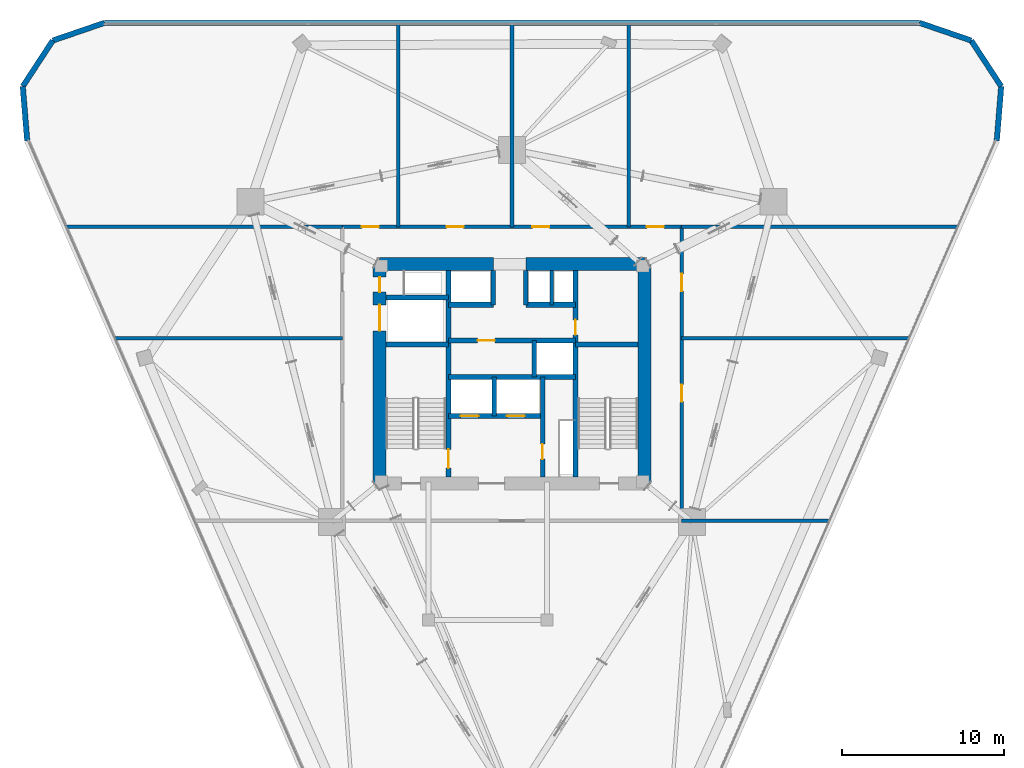
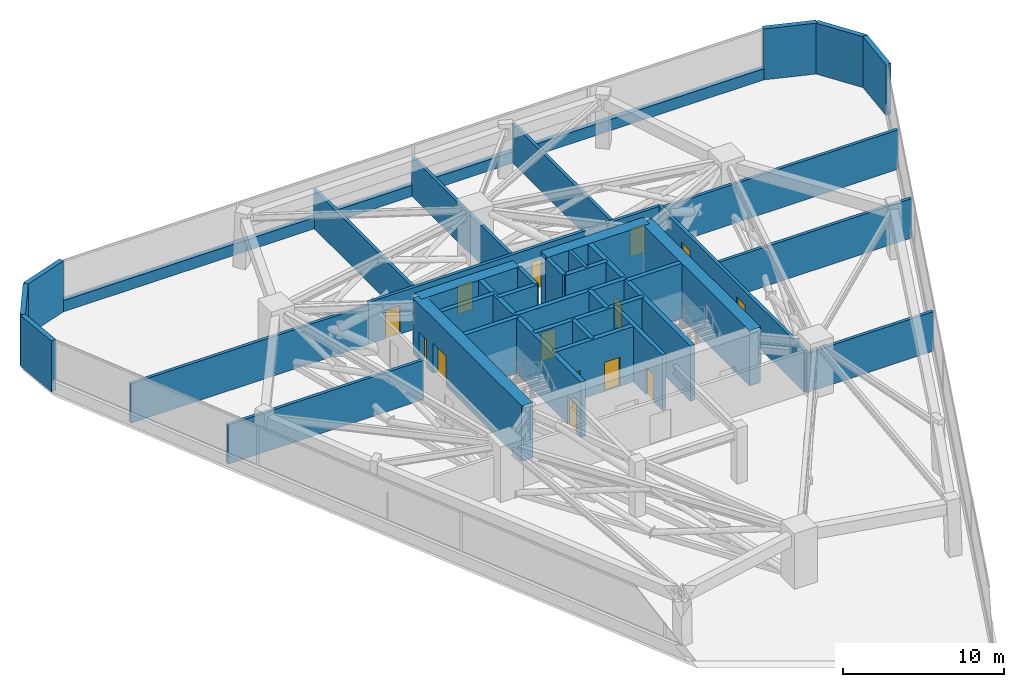
# One storey, part 13 of 15: 37 walls, 14 doors, 14 openings.
"""IFC4 building model written with IfcOpenShell, lengths in metres."""

import ifcopenshell
import ifcopenshell.guid

model = None  # the IFC model being written
_history = None  # IfcOwnerHistory: only IFC2X3 demands one
_inside = {}  # id of a spatial element -> (the spatial element, [elements in it])
_under = {}  # id of a project, library or spatial element -> (it, [spatial elements below it])
_declared = {}  # id of a project -> (the project, [libraries it declares])
_typed = {}  # id of a type object -> (the type object, [elements of that type])
_made_of = {}  # id of a material, layer set ... -> (it, [elements and type objects made of it])


def new_model(schema):
    """Start an empty IFC model of exactly this schema.

    Asked for "IFC4X3", IfcOpenShell would pick the latest addendum, in which some entities
    have other attributes; the version numbers below select the first issue.
    IFC2X3 requires an IfcOwnerHistory on every rooted entity: one is made here for all.
    """
    global model, _history
    if schema == "IFC4X3":
        model = ifcopenshell.file(schema_version=(4, 3, 0, 0))
    else:
        model = ifcopenshell.file(schema=schema)
    _inside.clear()
    _under.clear()
    _declared.clear()
    _typed.clear()
    _made_of.clear()
    _history = None
    if model.schema == "IFC2X3":
        org = make("IfcOrganization", Name="unknown")
        user = make(
            "IfcPersonAndOrganization",
            ThePerson=make("IfcPerson", FamilyName="unknown"),
            TheOrganization=org,
        )
        app = make(
            "IfcApplication",
            ApplicationDeveloper=org,
            Version="unknown",
            ApplicationFullName="unknown",
            ApplicationIdentifier="unknown",
        )
        _history = make(
            "IfcOwnerHistory",
            OwningUser=user,
            OwningApplication=app,
            ChangeAction="ADDED",
            CreationDate=0,
        )
    return model


def make(cls, **values):
    """One entity of the class cls with the attributes given. An attribute that is None is left unset."""
    return model.create_entity(
        cls, **{name: value for name, value in values.items() if value is not None}
    )


def rooted(cls, **values):
    """An entity with a GlobalId (a new one), such as an element, a storey or a relation."""
    return make(cls, GlobalId=ifcopenshell.guid.new(), OwnerHistory=_history, **values)


def si_unit(unit_type, name, prefix=None):
    """IfcSIUnit, for example si_unit("LENGTHUNIT", "METRE", prefix="MILLI")."""
    return make("IfcSIUnit", UnitType=unit_type, Prefix=prefix, Name=name)


def assignment(units):
    """IfcUnitAssignment: the units of a project."""
    return None if units is None else make("IfcUnitAssignment", Units=units)


def point(xyz):
    """IfcCartesianPoint."""
    return None if xyz is None else make("IfcCartesianPoint", Coordinates=xyz)


def direction(xyz):
    """IfcDirection."""
    return None if xyz is None else make("IfcDirection", DirectionRatios=xyz)


def frame(location, z_axis=None, x_axis=None):
    """IfcAxis2Placement3D, a coordinate frame: its origin and axes. An axis left out is left unset."""
    return make(
        "IfcAxis2Placement3D",
        Location=point(location),
        Axis=direction(z_axis),
        RefDirection=direction(x_axis),
    )


def frame_2d(location, x_axis=None):
    """IfcAxis2Placement2D, a coordinate frame in the plane: its origin and x axis."""
    return make(
        "IfcAxis2Placement2D", Location=point(location), RefDirection=direction(x_axis)
    )


def origin():
    """The frame at (0, 0, 0) with its axes left unset."""
    return frame((0.0, 0.0, 0.0))


def place(relative_to, where):
    """IfcLocalPlacement: puts the frame where relative to a parent placement (None: the world)."""
    return make(
        "IfcLocalPlacement", PlacementRelTo=relative_to, RelativePlacement=where
    )


def context(
    kind, dimensions, precision=None, world=None, true_north=None, identifier=None
):
    """IfcGeometricRepresentationContext, for example the 3D "Model" context."""
    return make(
        "IfcGeometricRepresentationContext",
        ContextIdentifier=identifier,
        ContextType=kind,
        CoordinateSpaceDimension=dimensions,
        Precision=precision,
        WorldCoordinateSystem=world,
        TrueNorth=true_north,
    )


def subcontext(parent, identifier, kind, view, scale=None):
    """IfcGeometricRepresentationSubContext, for example "Body" below "Model"."""
    return make(
        "IfcGeometricRepresentationSubContext",
        ContextIdentifier=identifier,
        ContextType=kind,
        ParentContext=parent,
        TargetScale=scale,
        TargetView=view,
    )


def project(units=None, contexts=None):
    """IfcProject with its units and contexts."""
    return rooted(
        "IfcProject",
        Name="project",
        RepresentationContexts=contexts,
        UnitsInContext=assignment(units),
    )


def spatial(cls, under=None, at=None, **own):
    """A site, building, storey or space (cls), placed at a placement, below another one or the project."""
    s = rooted(cls, ObjectPlacement=at, **own)
    if under is not None:
        _under.setdefault(under.id(), (under, []))[1].append(s)
    return s


def profile(cls, at=None, kind="AREA", **sizes):
    """A parametric profile (cls). Its sizes go by their IFC names, for example OverallWidth=200.0."""
    return make(cls, ProfileType=kind, Position=at, **sizes)


def rectangle(**sizes):
    """IfcRectangleProfileDef."""
    return profile("IfcRectangleProfileDef", **sizes)


def extrude(swept, where, along, depth):
    """IfcExtrudedAreaSolid: the profile swept, set in the frame where, extruded along a direction by depth."""
    return make(
        "IfcExtrudedAreaSolid",
        SweptArea=swept,
        Position=where,
        ExtrudedDirection=direction(along),
        Depth=depth,
    )


def shape(context_of_items, identifier, shape_type, items):
    """IfcShapeRepresentation: the items that make up one representation, for example the "Body"."""
    return make(
        "IfcShapeRepresentation",
        ContextOfItems=context_of_items,
        RepresentationIdentifier=identifier,
        RepresentationType=shape_type,
        Items=items,
    )


def material(Name=None, Category=None):
    """IfcMaterial."""
    return make("IfcMaterial", Name=Name, Category=Category)


def layer(
    of_material, thickness, ventilated=None, Name=None, Category=None, Priority=None
):
    """IfcMaterialLayer: one layer of a wall or slab, of a material (None: an air gap)."""
    return make(
        "IfcMaterialLayer",
        Material=of_material,
        LayerThickness=thickness,
        IsVentilated=ventilated,
        Name=Name,
        Category=Category,
        Priority=Priority,
    )


def layer_set(layers, Name=None):
    """IfcMaterialLayerSet."""
    return make("IfcMaterialLayerSet", MaterialLayers=layers, LayerSetName=Name)


def made_of(thing, what):
    """Note that an element or type object is made of a material, layer set ...; save() writes the relation."""
    if what is not None:
        _made_of.setdefault(what.id(), (what, []))[1].append(thing)
    return thing


def type_object(cls, material=None, **own):
    """A type object (cls), such as IfcWallType, which elements share."""
    return made_of(rooted(cls, **own), material)


def element(
    cls,
    number,
    at=None,
    inside=None,
    cuts=None,
    type_object=None,
    material=None,
    context=None,
    identifier="Body",
    shape_type=None,
    held_by="IfcProductDefinitionShape",
    body=None,
    shapes=None,
    **own,
):
    """One element of the class cls, such as IfcWall. Its Tag is "e" and its number.

    at: its placement. inside: the storey or other place that contains it. cuts: it is an
    opening in that element (IfcRelVoidsElement). A single representation is given by context,
    identifier, shape_type and body (its items); several are given by shapes. held_by: the class
    of the entity that holds the representations. save() writes the other relations.
    """
    e = rooted(cls, Tag="e%d" % number, ObjectPlacement=at, **own)
    if body is not None:
        shapes = [shape(context, identifier, shape_type, body)]
    if shapes is not None:
        e.Representation = make(held_by, Representations=shapes)
    if inside is not None:
        _inside.setdefault(inside.id(), (inside, []))[1].append(e)
    if cuts is not None:
        rooted(
            "IfcRelVoidsElement", RelatingBuildingElement=cuts, RelatedOpeningElement=e
        )
    if type_object is not None:
        _typed.setdefault(type_object.id(), (type_object, []))[1].append(e)
    return made_of(e, material)


def fill(opening, filler):
    """IfcRelFillsElement: the door or window that sits in an opening."""
    return rooted(
        "IfcRelFillsElement",
        RelatingOpeningElement=opening,
        RelatedBuildingElement=filler,
    )


def aggregate(whole, parts):
    """IfcRelAggregates: a whole, such as a stair, and the parts it consists of."""
    return rooted("IfcRelAggregates", RelatingObject=whole, RelatedObjects=parts)


def save(model, path):
    """Write the relations noted so far, then the file.

    IfcRelAggregates (storeys below a building ...), IfcRelContainedInSpatialStructure (elements
    in a storey), IfcRelDefinesByType, IfcRelAssociatesMaterial and IfcRelDeclares: one each for
    every whole, place, type object, material and project.
    """
    for whole, parts in _under.values():
        aggregate(whole, parts)
    for where, things in _inside.values():
        rooted(
            "IfcRelContainedInSpatialStructure",
            RelatedElements=things,
            RelatingStructure=where,
        )
    for kind, things in _typed.values():
        rooted("IfcRelDefinesByType", RelatedObjects=things, RelatingType=kind)
    for what, things in _made_of.values():
        rooted("IfcRelAssociatesMaterial", RelatedObjects=things, RelatingMaterial=what)
    for by, libraries in _declared.values():
        rooted("IfcRelDeclares", RelatingContext=by, RelatedDefinitions=libraries)
    model.write(path)


model = new_model("IFC4")

# Units and contexts
model_context = context("Model", 3, precision=1e-05, world=origin(), true_north=direction((0.0, 1.0)))
body_context = subcontext(model_context, "Body", "Model", "MODEL_VIEW")
ifc_project = project(units=[si_unit("LENGTHUNIT", "METRE"), si_unit("AREAUNIT", "SQUARE_METRE"), si_unit("VOLUMEUNIT", "CUBIC_METRE"), si_unit("PLANEANGLEUNIT", "RADIAN"), si_unit("MASSUNIT", "GRAM", prefix="KILO")], contexts=[model_context])

# Site, building, storey
site_placement = place(None, origin())
site = spatial("IfcSite", under=ifc_project, at=site_placement, CompositionType="ELEMENT")
building_placement = place(site_placement, origin())
building = spatial("IfcBuilding", under=site, at=building_placement, Name="Talyreon Biosciences Tower", CompositionType="ELEMENT")
storey_placement = place(building_placement, frame((0.0, 0.0, 118.800048828125)))
storey = spatial("IfcBuildingStorey", under=building, at=storey_placement, Name="L31", CompositionType="ELEMENT", Elevation=118.800048828125)

# Walls
ifc_material_1 = material(Name="Concrete C50/60", Category="concrete")
ifc_layer_1 = layer(ifc_material_1, 0.219970703125)
ifc_layer_set_1 = layer_set([ifc_layer_1], Name="Concrete C50/60")
wall_type_1 = type_object("IfcWallType", Name="CoreShearWall_220", PredefinedType="SHEAR", material=ifc_layer_set_1)
wall_1_placement = place(storey_placement, frame((68.4599609375, 72.25, 0.0), z_axis=(0.0, 0.0, 1.0), x_axis=(0.0, 1.0, 0.0)))
element("IfcWall", 1, at=wall_1_placement, inside=storey, type_object=wall_type_1, Name="L31 Core Shaft Wall SWPHD", PredefinedType="SHEAR", context=body_context, shape_type="SweptSolid", body=[
    extrude(rectangle(XDim=2.10009765625, YDim=0.219970703125, at=frame_2d((1.050048828125, 0.0))), origin(), (0.0, 0.0, 1.0), 4.199951171875),
])
ifc_layer_2 = layer(ifc_material_1, 0.280029296875)
ifc_layer_set_2 = layer_set([ifc_layer_2], Name="Concrete C50/60")
wall_type_2 = type_object("IfcWallType", Name="CoreShearWall_280", PredefinedType="SHEAR", material=ifc_layer_set_2)
wall_2_placement = place(storey_placement, frame((64.919921875, 65.39990234375, 0.0), z_axis=(0.0, 0.0, 1.0), x_axis=(0.0, 1.0, 0.0)))
element("IfcWall", 2, at=wall_2_placement, inside=storey, type_object=wall_type_2, Name="L31 Core Shaft Wall SWSHD1", PredefinedType="SHEAR", context=body_context, shape_type="SweptSolid", body=[
    extrude(rectangle(XDim=2.400146484375, YDim=0.280029296875, at=frame_2d((1.2001953125, 0.0))), origin(), (0.0, 0.0, 1.0), 4.199951171875),
])
for number, where, z_axis, x_axis, name in (
    (3, (64.85009765625, 72.25, 0.0), (0.0, 0.0, 1.0), (0.0, 1.0, 0.0), "L31 Core Shaft Wall SWTHW"),
    (4, (66.85009765625, 72.25, 0.0), (0.0, 0.0, 1.0), (0.0, 1.0, 0.0), "L31 Core Shaft Wall SWTHE"),
):
    element("IfcWall", number, at=place(storey_placement, frame(where, z_axis=z_axis, x_axis=x_axis)), inside=storey, type_object=wall_type_2, Name=name, PredefinedType="SHEAR", context=body_context, shape_type="SweptSolid", body=[
        extrude(rectangle(XDim=2.10009765625, YDim=0.280029296875, at=frame_2d((1.050048828125, 0.0))), origin(), (0.0, 0.0, 1.0), 4.199951171875),
    ])

# Wall, opening, door
wall_3_placement = place(storey_placement, frame((67.8798828125, 61.64990234375, 0.0), z_axis=(0.0, 0.0, 1.0), x_axis=(0.0, 1.0, 0.0)))
wall_3 = element("IfcWall", 5, at=wall_3_placement, inside=storey, type_object=wall_type_2, Name="L31 Core Shaft Wall SWFFE", PredefinedType="SHEAR", context=body_context, shape_type="SweptSolid", body=[
    extrude(rectangle(XDim=6.150146484375, YDim=0.280029296875, at=frame_2d((3.0751953125, 0.0))), origin(), (0.0, 0.0, 1.0), 4.199951171875),
])
opening_1_placement = place(wall_3_placement, frame((1.10009765625, 0.0, 0.0)))
opening_1 = element("IfcOpeningElement", 6, at=opening_1_placement, cuts=wall_3, Name="Opening DR-L31-RSE", PredefinedType="OPENING", context=body_context, shape_type="SweptSolid", body=[
    extrude(rectangle(XDim=0.919921875, YDim=2.050048828125, at=frame_2d((0.4599609375, 1.02490234375))), frame((0.0, 0.14990234375, 0.0), z_axis=(0.0, -1.0, 0.0), x_axis=(1.0, 0.0, 0.0)), (0.0, 0.0, 1.0), 0.300048828125),
])
ifc_material_2 = material(Name="Painted steel fire-rated riser door", Category="steel")
door_type_1 = type_object("IfcDoorType", Name="RiserPlantAccessDoor_920x2050", OperationType="NOTDEFINED", PredefinedType="DOOR", material=ifc_material_2)
door_1_placement = place(opening_1_placement, origin())
door_1 = element("IfcDoor", 7, at=door_1_placement, inside=storey, type_object=door_type_1, Name="L31 Core Door DR-L31-RSE", OperationType="SINGLE_SWING_RIGHT", OverallHeight=2.050048828125, OverallWidth=0.919921875, PredefinedType="DOOR", context=body_context, shape_type="SweptSolid", body=[
    extrude(rectangle(XDim=0.919921875, YDim=2.050048828125, at=frame_2d((0.4599609375, 1.02490234375))), frame((0.0, 0.02490234375, 0.0), z_axis=(0.0, -1.0, 0.0), x_axis=(1.0, 0.0, 0.0)), (0.0, 0.0, 1.0), 0.050048828125),
])
fill(opening_1, door_1)

# Wall
wall_4_placement = place(storey_placement, frame((67.3798828125, 67.800048828125, 0.0), z_axis=(0.0, 0.0, 1.0), x_axis=(0.0, 1.0, 0.0)))
element("IfcWall", 8, at=wall_4_placement, inside=storey, type_object=wall_type_2, Name="L31 Core Shaft Wall SWPMD", PredefinedType="SHEAR", context=body_context, shape_type="SweptSolid", body=[
    extrude(rectangle(XDim=2.25, YDim=0.280029296875, at=frame_2d((1.125, 0.0))), origin(), (0.0, 0.0, 1.0), 4.199951171875),
])

# Wall, opening, door
ifc_layer_3 = layer(ifc_material_1, 0.320068359375)
ifc_layer_set_3 = layer_set([ifc_layer_3], Name="Concrete C50/60")
wall_type_3 = type_object("IfcWallType", Name="CoreShearWall_320", PredefinedType="SHEAR", material=ifc_layer_set_3)
wall_5_placement = place(storey_placement, frame((62.090087890625, 61.64990234375, 0.0), z_axis=(0.0, 0.0, 1.0), x_axis=(0.0, 1.0, 0.0)))
wall_5 = element("IfcWall", 9, at=wall_5_placement, inside=storey, type_object=wall_type_3, Name="L31 Core Shaft Wall SW1E", PredefinedType="SHEAR", context=body_context, shape_type="SweptSolid", body=[
    extrude(rectangle(XDim=12.7001953125, YDim=0.320068359375, at=frame_2d((6.35009765625, 0.0))), origin(), (0.0, 0.0, 1.0), 4.199951171875),
])
opening_2_placement = place(wall_5_placement, frame((0.550048828125, 0.0, 0.0)))
opening_2 = element("IfcOpeningElement", 10, at=opening_2_placement, cuts=wall_5, Name="Opening DR-L31-FF-ST1", PredefinedType="OPENING", context=body_context, shape_type="SweptSolid", body=[
    extrude(rectangle(XDim=1.14990234375, YDim=2.14990234375, at=frame_2d((0.574951171875, 1.074951171875))), frame((0.0, 0.169921875, 0.0), z_axis=(0.0, -1.0, 0.0), x_axis=(1.0, 0.0, 0.0)), (0.0, 0.0, 1.0), 0.340087890625),
])
ifc_material_3 = material(Name="Painted steel fire door", Category="steel")
door_type_2 = type_object("IfcDoorType", Name="StairShaftFireDoor_1150x2150", OperationType="NOTDEFINED", PredefinedType="DOOR", material=ifc_material_3)
door_2_placement = place(opening_2_placement, origin())
door_2 = element("IfcDoor", 11, at=door_2_placement, inside=storey, type_object=door_type_2, Name="L31 Core Door DR-L31-FF-ST1", OperationType="SINGLE_SWING_LEFT", OverallHeight=2.14990234375, OverallWidth=1.14990234375, PredefinedType="DOOR", context=body_context, shape_type="SweptSolid", body=[
    extrude(rectangle(XDim=1.14990234375, YDim=2.14990234375, at=frame_2d((0.574951171875, 1.074951171875))), frame((0.0, 0.02490234375, 0.0), z_axis=(0.0, -1.0, 0.0), x_axis=(1.0, 0.0, 0.0)), (0.0, 0.0, 1.0), 0.050048828125),
])
fill(opening_2, door_2)

wall_6_placement = place(storey_placement, frame((69.909912109375, 61.64990234375, 0.0), z_axis=(0.0, 0.0, 1.0), x_axis=(0.0, 1.0, 0.0)))
wall_6 = element("IfcWall", 12, at=wall_6_placement, inside=storey, type_object=wall_type_3, Name="L31 Core Shaft Wall SW2W", PredefinedType="SHEAR", context=body_context, shape_type="SweptSolid", body=[
    extrude(rectangle(XDim=12.7001953125, YDim=0.320068359375, at=frame_2d((6.35009765625, 0.0))), origin(), (0.0, 0.0, 1.0), 4.199951171875),
])
opening_3_placement = place(wall_6_placement, frame((8.75, 0.0, 0.0)))
opening_3 = element("IfcOpeningElement", 13, at=opening_3_placement, cuts=wall_6, Name="Opening DR-L31-CSRV", PredefinedType="OPENING", context=body_context, shape_type="SweptSolid", body=[
    extrude(rectangle(XDim=0.919921875, YDim=2.050048828125, at=frame_2d((0.4599609375, 1.02490234375))), frame((0.0, 0.169921875, 0.0), z_axis=(0.0, -1.0, 0.0), x_axis=(1.0, 0.0, 0.0)), (0.0, 0.0, 1.0), 0.340087890625),
])
door_3_placement = place(opening_3_placement, origin())
door_3 = element("IfcDoor", 14, at=door_3_placement, inside=storey, type_object=door_type_1, Name="L31 Core Door DR-L31-CSRV", OperationType="SINGLE_SWING_RIGHT", OverallHeight=2.050048828125, OverallWidth=0.919921875, PredefinedType="DOOR", context=body_context, shape_type="SweptSolid", body=[
    extrude(rectangle(XDim=0.919921875, YDim=2.050048828125, at=frame_2d((0.4599609375, 1.02490234375))), frame((0.0, 0.02490234375, 0.0), z_axis=(0.0, -1.0, 0.0), x_axis=(1.0, 0.0, 0.0)), (0.0, 0.0, 1.0), 0.050048828125),
])
fill(opening_3, door_3)

# Walls
for number, where, z_axis, x_axis, name in (
    (15, (58.25, 69.81005859375, 0.0), (0.0, 0.0, 1.0), (1.0, 0.0, 0.0), "L31 Core Shaft Wall SW1N"),
    (16, (69.909912109375, 69.81005859375, 0.0), (0.0, 0.0, 1.0), (1.0, 0.0, 0.0), "L31 Core Shaft Wall SW2N"),
    (17, (58.25, 72.699951171875, 0.0), (0.0, 0.0, 1.0), (1.0, 0.0, 0.0), "L31 Core Shaft Wall SWGLN"),
):
    element("IfcWall", number, at=place(storey_placement, frame(where, z_axis=z_axis, x_axis=x_axis)), inside=storey, type_object=wall_type_3, Name=name, PredefinedType="SHEAR", context=body_context, shape_type="SweptSolid", body=[
        extrude(rectangle(XDim=3.840087890625, YDim=0.320068359375, at=frame_2d((1.919921875, 0.0))), origin(), (0.0, 0.0, 1.0), 4.199951171875),
    ])
wall_7_placement = place(storey_placement, frame((62.090087890625, 67.800048828125, 0.0), z_axis=(0.0, 0.0, 1.0), x_axis=(1.0, 0.0, 0.0)))
element("IfcWall", 18, at=wall_7_placement, inside=storey, type_object=wall_type_3, Name="L31 Core Shaft Wall SWSHM", PredefinedType="SHEAR", context=body_context, shape_type="SweptSolid", body=[
    extrude(rectangle(XDim=7.81982421875, YDim=0.320068359375, at=frame_2d((3.909912109375, 0.0))), origin(), (0.0, 0.0, 1.0), 4.199951171875),
])

# Wall, opening, door
wall_8_placement = place(storey_placement, frame((62.090087890625, 70.050048828125, 0.0), z_axis=(0.0, 0.0, 1.0), x_axis=(1.0, 0.0, 0.0)))
wall_8 = element("IfcWall", 19, at=wall_8_placement, inside=storey, type_object=wall_type_3, Name="L31 Core Shaft Wall SWSPN", PredefinedType="SHEAR", context=body_context, shape_type="SweptSolid", body=[
    extrude(rectangle(XDim=7.81982421875, YDim=0.320068359375, at=frame_2d((3.909912109375, 0.0))), origin(), (0.0, 0.0, 1.0), 4.199951171875),
])
opening_4_placement = place(wall_8_placement, frame((1.800048828125, 0.0, 0.0)))
opening_4 = element("IfcOpeningElement", 20, at=opening_4_placement, cuts=wall_8, Name="Opening DR-L31-PLFREE-A", PredefinedType="OPENING", context=body_context, shape_type="SweptSolid", body=[
    extrude(rectangle(XDim=1.050048828125, YDim=2.14990234375, at=frame_2d((0.52490234375, 1.074951171875))), frame((0.0, 0.169921875, 0.0), z_axis=(0.0, -1.0, 0.0), x_axis=(1.0, 0.0, 0.0)), (0.0, 0.0, 1.0), 0.340087890625),
])
ifc_material_4 = material(Name="Acoustic timber-core laboratory door", Category="wood")
door_type_3 = type_object("IfcDoorType", Name="DryLabSingleDoor_1050x2150", OperationType="NOTDEFINED", PredefinedType="DOOR", material=ifc_material_4)
door_4_placement = place(opening_4_placement, origin())
door_4 = element("IfcDoor", 21, at=door_4_placement, inside=storey, type_object=door_type_3, Name="L31 Core Door DR-L31-PLFREE-A", OperationType="SINGLE_SWING_LEFT", OverallHeight=2.14990234375, OverallWidth=1.050048828125, PredefinedType="DOOR", context=body_context, shape_type="SweptSolid", body=[
    extrude(rectangle(XDim=1.050048828125, YDim=2.14990234375, at=frame_2d((0.52490234375, 1.074951171875))), frame((0.0, 0.02490234375, 0.0), z_axis=(0.0, -1.0, 0.0), x_axis=(1.0, 0.0, 0.0)), (0.0, 0.0, 1.0), 0.050048828125),
])
fill(opening_4, door_4)

# Walls
wall_9_placement = place(storey_placement, frame((62.090087890625, 72.25, 0.0), z_axis=(0.0, 0.0, 1.0), x_axis=(1.0, 0.0, 0.0)))
element("IfcWall", 22, at=wall_9_placement, inside=storey, type_object=wall_type_3, Name="L31 Core Shaft Wall SWNPW", PredefinedType="SHEAR", context=body_context, shape_type="SweptSolid", body=[
    extrude(rectangle(XDim=2.760009765625, YDim=0.320068359375, at=frame_2d((1.3798828125, 0.0))), origin(), (0.0, 0.0, 1.0), 4.199951171875),
])
wall_10_placement = place(storey_placement, frame((66.85009765625, 72.25, 0.0), z_axis=(0.0, 0.0, 1.0), x_axis=(1.0, 0.0, 0.0)))
element("IfcWall", 23, at=wall_10_placement, inside=storey, type_object=wall_type_3, Name="L31 Core Shaft Wall SWNPE", PredefinedType="SHEAR", context=body_context, shape_type="SweptSolid", body=[
    extrude(rectangle(XDim=3.059814453125, YDim=0.320068359375, at=frame_2d((1.52978515625, 0.0))), origin(), (0.0, 0.0, 1.0), 4.199951171875),
])

# Wall, openings, doors
wall_11_placement = place(storey_placement, frame((62.090087890625, 65.39990234375, 0.0), z_axis=(0.0, 0.0, 1.0), x_axis=(1.0, 0.0, 0.0)))
wall_11 = element("IfcWall", 24, at=wall_11_placement, inside=storey, type_object=wall_type_3, Name="L31 Core Shaft Wall SWFFN", PredefinedType="SHEAR", context=body_context, shape_type="SweptSolid", body=[
    extrude(rectangle(XDim=5.789794921875, YDim=0.320068359375, at=frame_2d((2.89501953125, 0.0))), origin(), (0.0, 0.0, 1.0), 4.199951171875),
])
opening_5_placement = place(wall_11_placement, frame((0.75, 0.0, 0.0)))
opening_5 = element("IfcOpeningElement", 25, at=opening_5_placement, cuts=wall_11, Name="Opening LD-L31-FL1", PredefinedType="OPENING", context=body_context, shape_type="SweptSolid", body=[
    extrude(rectangle(XDim=1.10009765625, YDim=2.199951171875, at=frame_2d((0.550048828125, 1.10009765625))), frame((0.0, 0.169921875, 0.0), z_axis=(0.0, -1.0, 0.0), x_axis=(1.0, 0.0, 0.0)), (0.0, 0.0, 1.0), 0.340087890625),
])
opening_6_placement = place(wall_11_placement, frame((3.60009765625, 0.0, 0.0)))
opening_6 = element("IfcOpeningElement", 26, at=opening_6_placement, cuts=wall_11, Name="Opening LD-L31-FL2", PredefinedType="OPENING", context=body_context, shape_type="SweptSolid", body=[
    extrude(rectangle(XDim=1.10009765625, YDim=2.199951171875, at=frame_2d((0.550048828125, 1.10009765625))), frame((0.0, 0.169921875, 0.0), z_axis=(0.0, -1.0, 0.0), x_axis=(1.0, 0.0, 0.0)), (0.0, 0.0, 1.0), 0.340087890625),
])
ifc_material_5 = material(Name="Brushed stainless-steel lift landing door", Category="steel")
door_type_4 = type_object("IfcDoorType", Name="LiftSlidingLandingDoor_1100x2200", OperationType="SLIDING_TO_LEFT", PredefinedType="DOOR", material=ifc_material_5)
door_5_placement = place(opening_5_placement, origin())
door_5 = element("IfcDoor", 27, at=door_5_placement, inside=storey, type_object=door_type_4, Name="L31 Core Door LD-L31-FL1", OperationType="SLIDING_TO_LEFT", OverallHeight=2.199951171875, OverallWidth=1.10009765625, PredefinedType="DOOR", context=body_context, shape_type="SweptSolid", body=[
    extrude(rectangle(XDim=1.10009765625, YDim=2.199951171875, at=frame_2d((0.550048828125, 1.10009765625))), frame((0.0, 0.02490234375, 0.0), z_axis=(0.0, -1.0, 0.0), x_axis=(1.0, 0.0, 0.0)), (0.0, 0.0, 1.0), 0.050048828125),
])
fill(opening_5, door_5)
door_6_placement = place(opening_6_placement, origin())
door_6 = element("IfcDoor", 28, at=door_6_placement, inside=storey, type_object=door_type_4, Name="L31 Core Door LD-L31-FL2", OperationType="SLIDING_TO_LEFT", OverallHeight=2.199951171875, OverallWidth=1.10009765625, PredefinedType="DOOR", context=body_context, shape_type="SweptSolid", body=[
    extrude(rectangle(XDim=1.10009765625, YDim=2.199951171875, at=frame_2d((0.550048828125, 1.10009765625))), frame((0.0, 0.02490234375, 0.0), z_axis=(0.0, -1.0, 0.0), x_axis=(1.0, 0.0, 0.0)), (0.0, 0.0, 1.0), 0.050048828125),
])
fill(opening_6, door_6)

# Walls
ifc_material_6 = material(Name="Concrete C60/75", Category="concrete")
ifc_layer_4 = layer(ifc_material_6, 0.800048828125)
ifc_layer_set_4 = layer_set([ifc_layer_4], Name="Concrete C60/75")
wall_type_4 = type_object("IfcWallType", Name="CoreShearWall_800", PredefinedType="SHEAR", material=ifc_layer_set_4)
wall_12_placement = place(storey_placement, frame((74.14990234375, 61.25, 0.0), z_axis=(0.0, 0.0, 1.0), x_axis=(0.0, 1.0, 0.0)))
element("IfcWall", 29, at=wall_12_placement, inside=storey, type_object=wall_type_4, Name="L31 Core Shear Wall E", PredefinedType="SHEAR", context=body_context, shape_type="SweptSolid", body=[
    extrude(rectangle(XDim=13.5, YDim=0.800048828125, at=frame_2d((6.75, 0.0))), origin(), (0.0, 0.0, 1.0), 4.199951171875),
])
wall_13_placement = place(storey_placement, frame((74.14990234375, 74.75, 0.0), z_axis=(0.0, 0.0, 1.0), x_axis=(-1.0, 0.0, 0.0)))
element("IfcWall", 30, at=wall_13_placement, inside=storey, type_object=wall_type_4, Name="L31 Core Shear Wall NE", PredefinedType="SHEAR", context=body_context, shape_type="SweptSolid", body=[
    extrude(rectangle(XDim=7.2998046875, YDim=0.800048828125, at=frame_2d((3.64990234375, 0.0))), origin(), (0.0, 0.0, 1.0), 4.199951171875),
])
wall_14_placement = place(storey_placement, frame((64.85009765625, 74.75, 0.0), z_axis=(0.0, 0.0, 1.0), x_axis=(-1.0, 0.0, 0.0)))
element("IfcWall", 31, at=wall_14_placement, inside=storey, type_object=wall_type_4, Name="L31 Core Shear Wall NW", PredefinedType="SHEAR", context=body_context, shape_type="SweptSolid", body=[
    extrude(rectangle(XDim=7.0, YDim=0.800048828125, at=frame_2d((3.5, 0.0))), origin(), (0.0, 0.0, 1.0), 4.199951171875),
])

# Wall, openings, doors
wall_15_placement = place(storey_placement, frame((57.85009765625, 74.75, 0.0), z_axis=(0.0, 0.0, 1.0), x_axis=(0.0, -1.0, 0.0)))
wall_15 = element("IfcWall", 32, at=wall_15_placement, inside=storey, type_object=wall_type_4, Name="L31 Core Shear Wall W", PredefinedType="SHEAR", context=body_context, shape_type="SweptSolid", body=[
    extrude(rectangle(XDim=13.5, YDim=0.800048828125, at=frame_2d((6.75, 0.0))), origin(), (0.0, 0.0, 1.0), 4.199951171875),
])
opening_7_placement = place(wall_15_placement, frame((0.800048828125, 0.0, 0.0)))
opening_7 = element("IfcOpeningElement", 33, at=opening_7_placement, cuts=wall_15, Name="Opening DR-L31-RSW", PredefinedType="OPENING", context=body_context, shape_type="SweptSolid", body=[
    extrude(rectangle(XDim=0.919921875, YDim=2.050048828125, at=frame_2d((0.4599609375, 1.02490234375))), frame((0.0, 0.409912109375, 0.0), z_axis=(0.0, -1.0, 0.0), x_axis=(1.0, 0.0, 0.0)), (0.0, 0.0, 1.0), 0.820068359375),
])
opening_8_placement = place(wall_15_placement, frame((2.5, 0.0, 0.0)))
opening_8 = element("IfcOpeningElement", 34, at=opening_8_placement, cuts=wall_15, Name="Opening LD-L31-GL1", PredefinedType="OPENING", context=body_context, shape_type="SweptSolid", body=[
    extrude(rectangle(XDim=1.60009765625, YDim=2.300048828125, at=frame_2d((0.800048828125, 1.14990234375))), frame((0.0, 0.409912109375, 0.0), z_axis=(0.0, -1.0, 0.0), x_axis=(1.0, 0.0, 0.0)), (0.0, 0.0, 1.0), 0.820068359375),
])
ifc_material_7 = material(Name="Heavy-duty stainless-steel goods lift door", Category="steel")
door_type_5 = type_object("IfcDoorType", Name="GoodsLiftSlidingDoor_1600x2300", OperationType="DOUBLE_DOOR_SLIDING", PredefinedType="DOOR", material=ifc_material_7)
door_7_placement = place(opening_8_placement, origin())
door_7 = element("IfcDoor", 35, at=door_7_placement, inside=storey, type_object=door_type_5, Name="L31 Core Door LD-L31-GL1", OperationType="DOUBLE_DOOR_SLIDING", OverallHeight=2.300048828125, OverallWidth=1.60009765625, PredefinedType="DOOR", context=body_context, shape_type="SweptSolid", body=[
    extrude(rectangle(XDim=1.60009765625, YDim=2.300048828125, at=frame_2d((0.800048828125, 1.14990234375))), frame((0.0, 0.02490234375, 0.0), z_axis=(0.0, -1.0, 0.0), x_axis=(1.0, 0.0, 0.0)), (0.0, 0.0, 1.0), 0.050048828125),
])
fill(opening_8, door_7)
door_8_placement = place(opening_7_placement, origin())
door_8 = element("IfcDoor", 36, at=door_8_placement, inside=storey, type_object=door_type_1, Name="L31 Core Door DR-L31-RSW", OperationType="SINGLE_SWING_LEFT", OverallHeight=2.050048828125, OverallWidth=0.919921875, PredefinedType="DOOR", context=body_context, shape_type="SweptSolid", body=[
    extrude(rectangle(XDim=0.919921875, YDim=2.050048828125, at=frame_2d((0.4599609375, 1.02490234375))), frame((0.0, 0.02490234375, 0.0), z_axis=(0.0, -1.0, 0.0), x_axis=(1.0, 0.0, 0.0)), (0.0, 0.0, 1.0), 0.050048828125),
])
fill(opening_7, door_8)

# Walls
ifc_material_8 = material(Name="Gypsum fireboard acoustic stud", Category="gypsum")
ifc_layer_5 = layer(ifc_material_8, 0.219970703125)
ifc_layer_set_5 = layer_set([ifc_layer_5], Name="Gypsum fireboard acoustic stud")
wall_type_5 = type_object("IfcWallType", Name="CorridorRatedPartition_220", PredefinedType="PARTITIONING", material=ifc_layer_set_5)
for number, where, z_axis, x_axis, name in (
    (37, (59.0, 77.050048828125, 0.0), (0.0, 0.0, 1.0), (0.0, 1.0, 0.0), "L31 Interior Wall IW-L31-ND1"),
    (38, (66.0, 77.050048828125, 0.0), (0.0, 0.0, 1.0), (0.0, 1.0, 0.0), "L31 Interior Wall IW-L31-ND2"),
    (39, (73.199951171875, 77.050048828125, 0.0), (0.0, 0.0, 1.0), (0.0, 1.0, 0.0), "L31 Interior Wall IW-L31-ND3"),
):
    element("IfcWall", number, at=place(storey_placement, frame(where, z_axis=z_axis, x_axis=x_axis)), inside=storey, type_object=wall_type_5, Name=name, PredefinedType="PARTITIONING", context=body_context, shape_type="SweptSolid", body=[
        extrude(rectangle(XDim=12.48486328125, YDim=0.219970703125, at=frame_2d((6.242431640625, 0.0))), origin(), (0.0, 0.0, 1.0), 2.97998046875),
    ])
for number, where, z_axis, x_axis, name in (
    (40, (38.548583984375, 77.050048828125, 0.0), (0.0, 0.0, 1.0), (1.0, 0.0, 0.0), "L31 Interior Wall IW-L31-NDIV-NW"),
    (41, (76.449951171875, 77.050048828125, 0.0), (0.0, 0.0, 1.0), (1.0, 0.0, 0.0), "L31 Interior Wall IW-L31-NDIV-NE"),
):
    element("IfcWall", number, at=place(storey_placement, frame(where, z_axis=z_axis, x_axis=x_axis)), inside=storey, type_object=wall_type_5, Name=name, PredefinedType="PARTITIONING", context=body_context, shape_type="SweptSolid", body=[
        extrude(rectangle(XDim=17.00146484375, YDim=0.219970703125, at=frame_2d((8.500732421875, 0.0))), origin(), (0.0, 0.0, 1.0), 2.97998046875),
    ])
for number, where, z_axis, x_axis, name in (
    (42, (41.540283203125, 70.199951171875, 0.0), (0.0, 0.0, 1.0), (1.0, 0.0, 0.0), "L31 Interior Wall IW-L31-WD1"),
    (43, (76.449951171875, 70.199951171875, 0.0), (0.0, 0.0, 1.0), (1.0, 0.0, 0.0), "L31 Interior Wall IW-L31-ED1"),
):
    element("IfcWall", number, at=place(storey_placement, frame(where, z_axis=z_axis, x_axis=x_axis)), inside=storey, type_object=wall_type_5, Name=name, PredefinedType="PARTITIONING", context=body_context, shape_type="SweptSolid", body=[
        extrude(rectangle(XDim=14.009765625, YDim=0.219970703125, at=frame_2d((7.0048828125, 0.0))), origin(), (0.0, 0.0, 1.0), 2.97998046875),
    ])
wall_16_placement = place(storey_placement, frame((76.449951171875, 58.949951171875, 0.0), z_axis=(0.0, 0.0, 1.0), x_axis=(1.0, 0.0, 0.0)))
element("IfcWall", 44, at=wall_16_placement, inside=storey, type_object=wall_type_5, Name="L31 Interior Wall IW-L31-PDIV-SE", PredefinedType="PARTITIONING", context=body_context, shape_type="SweptSolid", body=[
    extrude(rectangle(XDim=9.0966796875, YDim=0.219970703125, at=frame_2d((4.54833984375, 0.0))), origin(), (0.0, 0.0, 1.0), 2.97998046875),
])

# Wall, openings, doors
wall_17_placement = place(storey_placement, frame((76.449951171875, 58.949951171875, 0.0), z_axis=(0.0, 0.0, 1.0), x_axis=(0.0, 1.0, 0.0)))
wall_17 = element("IfcWall", 45, at=wall_17_placement, inside=storey, type_object=wall_type_5, Name="L31 Interior Wall IW-L31-PC-E", PredefinedType="PARTITIONING", context=body_context, shape_type="SweptSolid", body=[
    extrude(rectangle(XDim=18.10009765625, YDim=0.219970703125, at=frame_2d((9.050048828125, 0.0))), origin(), (0.0, 0.0, 1.0), 3.179931640625),
])
opening_9_placement = place(wall_17_placement, frame((7.340087890625, 0.0, 0.0)))
opening_9 = element("IfcOpeningElement", 46, at=opening_9_placement, cuts=wall_17, Name="Opening DR-L31-PL-EB", PredefinedType="OPENING", context=body_context, shape_type="SweptSolid", body=[
    extrude(rectangle(XDim=1.050048828125, YDim=2.14990234375, at=frame_2d((0.52490234375, 1.074951171875))), frame((0.0, 0.119873046875, 0.0), z_axis=(0.0, -1.0, 0.0), x_axis=(1.0, 0.0, 0.0)), (0.0, 0.0, 1.0), 0.239990234375),
])
opening_10_placement = place(wall_17_placement, frame((14.14990234375, 0.0, 0.0)))
opening_10 = element("IfcOpeningElement", 47, at=opening_10_placement, cuts=wall_17, Name="Opening DR-L31-PL-EA", PredefinedType="OPENING", context=body_context, shape_type="SweptSolid", body=[
    extrude(rectangle(XDim=1.050048828125, YDim=2.14990234375, at=frame_2d((0.52490234375, 1.074951171875))), frame((0.0, 0.119873046875, 0.0), z_axis=(0.0, -1.0, 0.0), x_axis=(1.0, 0.0, 0.0)), (0.0, 0.0, 1.0), 0.239990234375),
])
door_9_placement = place(opening_9_placement, origin())
door_9 = element("IfcDoor", 48, at=door_9_placement, inside=storey, type_object=door_type_3, Name="L31 Interior Door DR-L31-PL-EB", OperationType="SINGLE_SWING_RIGHT", OverallHeight=2.14990234375, OverallWidth=1.050048828125, PredefinedType="DOOR", context=body_context, shape_type="SweptSolid", body=[
    extrude(rectangle(XDim=1.050048828125, YDim=2.14990234375, at=frame_2d((0.52490234375, 1.074951171875))), frame((0.0, 0.02490234375, 0.0), z_axis=(0.0, -1.0, 0.0), x_axis=(1.0, 0.0, 0.0)), (0.0, 0.0, 1.0), 0.050048828125),
])
fill(opening_9, door_9)
door_10_placement = place(opening_10_placement, origin())
door_10 = element("IfcDoor", 49, at=door_10_placement, inside=storey, type_object=door_type_3, Name="L31 Interior Door DR-L31-PL-EA", OperationType="SINGLE_SWING_RIGHT", OverallHeight=2.14990234375, OverallWidth=1.050048828125, PredefinedType="DOOR", context=body_context, shape_type="SweptSolid", body=[
    extrude(rectangle(XDim=1.050048828125, YDim=2.14990234375, at=frame_2d((0.52490234375, 1.074951171875))), frame((0.0, 0.02490234375, 0.0), z_axis=(0.0, -1.0, 0.0), x_axis=(1.0, 0.0, 0.0)), (0.0, 0.0, 1.0), 0.050048828125),
])
fill(opening_10, door_10)

wall_18_placement = place(storey_placement, frame((55.550048828125, 77.050048828125, 0.0), z_axis=(0.0, 0.0, 1.0), x_axis=(1.0, 0.0, 0.0)))
wall_18 = element("IfcWall", 50, at=wall_18_placement, inside=storey, type_object=wall_type_5, Name="L31 Interior Wall IW-L31-PC-N", PredefinedType="PARTITIONING", context=body_context, shape_type="SweptSolid", body=[
    extrude(rectangle(XDim=20.89990234375, YDim=0.219970703125, at=frame_2d((10.449951171875, 0.0))), origin(), (0.0, 0.0, 1.0), 3.179931640625),
])
opening_11_placement = place(wall_18_placement, frame((1.199951171875, 0.0, 0.0)))
opening_11 = element("IfcOpeningElement", 51, at=opening_11_placement, cuts=wall_18, Name="Opening DR-L31-PL-NWA", PredefinedType="OPENING", context=body_context, shape_type="SweptSolid", body=[
    extrude(rectangle(XDim=1.050048828125, YDim=2.14990234375, at=frame_2d((0.52490234375, 1.074951171875))), frame((0.0, 0.119873046875, 0.0), z_axis=(0.0, -1.0, 0.0), x_axis=(1.0, 0.0, 0.0)), (0.0, 0.0, 1.0), 0.239990234375),
])
opening_12_placement = place(wall_18_placement, frame((6.425048828125, 0.0, 0.0)))
opening_12 = element("IfcOpeningElement", 52, at=opening_12_placement, cuts=wall_18, Name="Opening DR-L31-PL-NWB", PredefinedType="OPENING", context=body_context, shape_type="SweptSolid", body=[
    extrude(rectangle(XDim=1.050048828125, YDim=2.14990234375, at=frame_2d((0.52490234375, 1.074951171875))), frame((0.0, 0.119873046875, 0.0), z_axis=(0.0, -1.0, 0.0), x_axis=(1.0, 0.0, 0.0)), (0.0, 0.0, 1.0), 0.239990234375),
])
opening_13_placement = place(wall_18_placement, frame((11.701904296875, 0.0, 0.0)))
opening_13 = element("IfcOpeningElement", 53, at=opening_13_placement, cuts=wall_18, Name="Opening DR-L31-PL-NEA", PredefinedType="OPENING", context=body_context, shape_type="SweptSolid", body=[
    extrude(rectangle(XDim=1.050048828125, YDim=2.14990234375, at=frame_2d((0.52490234375, 1.074951171875))), frame((0.0, 0.119873046875, 0.0), z_axis=(0.0, -1.0, 0.0), x_axis=(1.0, 0.0, 0.0)), (0.0, 0.0, 1.0), 0.239990234375),
])
opening_14_placement = place(wall_18_placement, frame((18.75, 0.0, 0.0)))
opening_14 = element("IfcOpeningElement", 54, at=opening_14_placement, cuts=wall_18, Name="Opening DR-L31-PL-NEB", PredefinedType="OPENING", context=body_context, shape_type="SweptSolid", body=[
    extrude(rectangle(XDim=1.050048828125, YDim=2.14990234375, at=frame_2d((0.52490234375, 1.074951171875))), frame((0.0, 0.119873046875, 0.0), z_axis=(0.0, -1.0, 0.0), x_axis=(1.0, 0.0, 0.0)), (0.0, 0.0, 1.0), 0.239990234375),
])
door_11_placement = place(opening_11_placement, origin())
door_11 = element("IfcDoor", 55, at=door_11_placement, inside=storey, type_object=door_type_3, Name="L31 Interior Door DR-L31-PL-NWA", OperationType="SINGLE_SWING_RIGHT", OverallHeight=2.14990234375, OverallWidth=1.050048828125, PredefinedType="DOOR", context=body_context, shape_type="SweptSolid", body=[
    extrude(rectangle(XDim=1.050048828125, YDim=2.14990234375, at=frame_2d((0.52490234375, 1.074951171875))), frame((0.0, 0.02490234375, 0.0), z_axis=(0.0, -1.0, 0.0), x_axis=(1.0, 0.0, 0.0)), (0.0, 0.0, 1.0), 0.050048828125),
])
fill(opening_11, door_11)
door_12_placement = place(opening_12_placement, origin())
door_12 = element("IfcDoor", 56, at=door_12_placement, inside=storey, type_object=door_type_3, Name="L31 Interior Door DR-L31-PL-NWB", OperationType="SINGLE_SWING_RIGHT", OverallHeight=2.14990234375, OverallWidth=1.050048828125, PredefinedType="DOOR", context=body_context, shape_type="SweptSolid", body=[
    extrude(rectangle(XDim=1.050048828125, YDim=2.14990234375, at=frame_2d((0.52490234375, 1.074951171875))), frame((0.0, 0.02490234375, 0.0), z_axis=(0.0, -1.0, 0.0), x_axis=(1.0, 0.0, 0.0)), (0.0, 0.0, 1.0), 0.050048828125),
])
fill(opening_12, door_12)
door_13_placement = place(opening_13_placement, origin())
door_13 = element("IfcDoor", 57, at=door_13_placement, inside=storey, type_object=door_type_3, Name="L31 Interior Door DR-L31-PL-NEA", OperationType="SINGLE_SWING_LEFT", OverallHeight=2.14990234375, OverallWidth=1.050048828125, PredefinedType="DOOR", context=body_context, shape_type="SweptSolid", body=[
    extrude(rectangle(XDim=1.050048828125, YDim=2.14990234375, at=frame_2d((0.52490234375, 1.074951171875))), frame((0.0, 0.02490234375, 0.0), z_axis=(0.0, -1.0, 0.0), x_axis=(1.0, 0.0, 0.0)), (0.0, 0.0, 1.0), 0.050048828125),
])
fill(opening_13, door_13)
door_14_placement = place(opening_14_placement, origin())
door_14 = element("IfcDoor", 58, at=door_14_placement, inside=storey, type_object=door_type_3, Name="L31 Interior Door DR-L31-PL-NEB", OperationType="SINGLE_SWING_RIGHT", OverallHeight=2.14990234375, OverallWidth=1.050048828125, PredefinedType="DOOR", context=body_context, shape_type="SweptSolid", body=[
    extrude(rectangle(XDim=1.050048828125, YDim=2.14990234375, at=frame_2d((0.52490234375, 1.074951171875))), frame((0.0, 0.02490234375, 0.0), z_axis=(0.0, -1.0, 0.0), x_axis=(1.0, 0.0, 0.0)), (0.0, 0.0, 1.0), 0.050048828125),
])
fill(opening_14, door_14)

# Walls
ifc_material_9 = material(Name="Precast concrete C45/55", Category="concrete")
ifc_layer_6 = layer(ifc_material_9, 0.340087890625)
ifc_layer_set_6 = layer_set([ifc_layer_6], Name="Precast concrete C45/55")
wall_type_6 = type_object("IfcWallType", Name="PrecastConcreteSpandrelWall_340", PredefinedType="STANDARD", material=ifc_layer_set_6)
for number, where, z_axis, x_axis, name in (
    (59, (36.146240234375, 82.338623046875, 0.0), (0.0, 0.0, 1.0), (-0.081254928028, 0.996693351373, 0.0), "L31 Rounded-Corner Concrete Pier 01"),
    (60, (35.8720703125, 85.70166015625, 0.0), (0.0, 0.0, 1.0), (0.547567076679, 0.836761791992, 0.0), "L31 Rounded-Corner Concrete Pier 02"),
):
    element("IfcWall", number, at=place(storey_placement, frame(where, z_axis=z_axis, x_axis=x_axis)), inside=storey, type_object=wall_type_6, Name=name, PredefinedType="STANDARD", context=body_context, shape_type="SweptSolid", body=[
        extrude(rectangle(XDim=3.374267578125, YDim=0.340087890625, at=frame_2d((1.68701171875, 0.0))), origin(), (0.0, 0.0, 1.0), 3.849853515625),
    ])
wall_19_placement = place(storey_placement, frame((37.7197265625, 88.525146484375, 0.0), z_axis=(0.0, 0.0, 1.0), x_axis=(0.945912963092, 0.324420508376, 0.0)))
element("IfcWall", 61, at=wall_19_placement, inside=storey, type_object=wall_type_6, Name="L31 Rounded-Corner Concrete Pier 03", PredefinedType="STANDARD", context=body_context, shape_type="SweptSolid", body=[
    extrude(rectangle(XDim=3.37451171875, YDim=0.340087890625, at=frame_2d((1.687255859375, 0.0))), origin(), (0.0, 0.0, 1.0), 3.849853515625),
])
wall_20_placement = place(storey_placement, frame((40.91162109375, 89.619873046875, 0.0), z_axis=(0.0, 0.0, 1.0), x_axis=(1.0, 0.0, 0.0)))
element("IfcWall", 62, at=wall_20_placement, inside=storey, type_object=wall_type_6, Name="L31 Expressed Concrete Sill Wall 04", PredefinedType="STANDARD", context=body_context, shape_type="SweptSolid", body=[
    extrude(rectangle(XDim=50.1767578125, YDim=0.340087890625, at=frame_2d((25.08837890625, 0.0))), origin(), (0.0, 0.0, 1.0), 0.849853515625),
])
wall_21_placement = place(storey_placement, frame((91.08837890625, 89.619873046875, 0.0), z_axis=(0.0, 0.0, 1.0), x_axis=(0.945912963092, -0.324420508376, 0.0)))
element("IfcWall", 63, at=wall_21_placement, inside=storey, type_object=wall_type_6, Name="L31 Rounded-Corner Concrete Pier 05", PredefinedType="STANDARD", context=body_context, shape_type="SweptSolid", body=[
    extrude(rectangle(XDim=3.37451171875, YDim=0.340087890625, at=frame_2d((1.687255859375, 0.0))), origin(), (0.0, 0.0, 1.0), 3.849853515625),
])
for number, where, z_axis, x_axis, name in (
    (64, (94.2802734375, 88.525146484375, 0.0), (0.0, 0.0, 1.0), (0.547567076679, -0.836761791992, 0.0), "L31 Rounded-Corner Concrete Pier 06"),
    (65, (96.1279296875, 85.70166015625, 0.0), (0.0, 0.0, 1.0), (-0.081254928028, -0.996693351373, 0.0), "L31 Rounded-Corner Concrete Pier 07"),
):
    element("IfcWall", number, at=place(storey_placement, frame(where, z_axis=z_axis, x_axis=x_axis)), inside=storey, type_object=wall_type_6, Name=name, PredefinedType="STANDARD", context=body_context, shape_type="SweptSolid", body=[
        extrude(rectangle(XDim=3.374267578125, YDim=0.340087890625, at=frame_2d((1.68701171875, 0.0))), origin(), (0.0, 0.0, 1.0), 3.849853515625),
    ])

save(model, "model.ifc")
